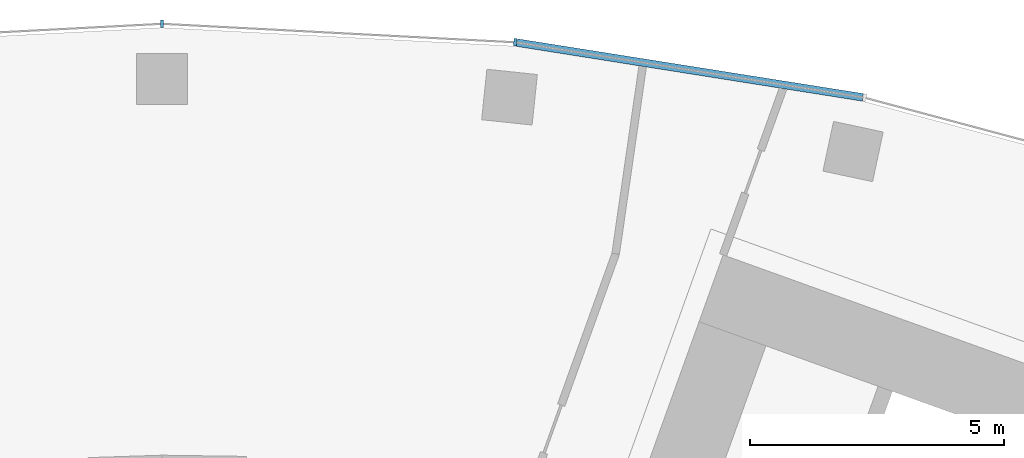
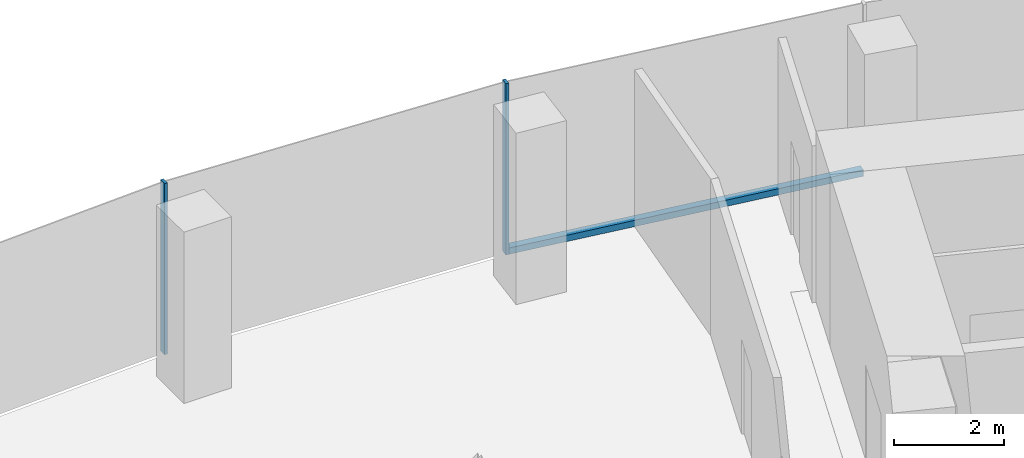
# One storey, part 7 of 21: 3 members, 1 element without a shape of its own.
"""IFC4 building model written with IfcOpenShell, lengths in metres."""

from ifc_helpers import new_model, si_unit, direction, frame, origin, origin_2d, place, context, subcontext, project, spatial, rectangle, extrude, material, layer, layer_set, material_profile, profile_set, type_object, element, aggregate, save


model = new_model("IFC4")

# Units and contexts
model_context = context("Model", 3, precision=1e-05, world=origin(), true_north=direction((0.0, 1.0)))
body_context = subcontext(model_context, "Body", "Model", "MODEL_VIEW")
ifc_project = project(units=[si_unit("LENGTHUNIT", "METRE"), si_unit("AREAUNIT", "SQUARE_METRE"), si_unit("VOLUMEUNIT", "CUBIC_METRE"), si_unit("PLANEANGLEUNIT", "RADIAN"), si_unit("MASSUNIT", "GRAM", prefix="KILO")], contexts=[model_context])

# Site, building, storey
site_placement = place(None, origin())
site = spatial("IfcSite", under=ifc_project, at=site_placement, CompositionType="ELEMENT")
building_placement = place(site_placement, origin())
building = spatial("IfcBuilding", under=site, at=building_placement, Name="Stone Belt Terrace Tower", CompositionType="ELEMENT")
storey_placement = place(building_placement, frame((0.0, 0.0, 163.0)))
storey = spatial("IfcBuildingStorey", under=building, at=storey_placement, Name="L39", CompositionType="ELEMENT", Elevation=163.0)

# Curtain wall, members
ifc_material = material(Name="Aluminium 6063-T6 anodised frame", Category="aluminium")
ifc_layer = layer(ifc_material, 0.14990234375)
ifc_layer_set = layer_set([ifc_layer], Name="CW-A unitised convex-face curtain wall")
curtain_wall_type = type_object("IfcCurtainWallType", Name="CW-A unitised convex-face curtain wall", PredefinedType="NOTDEFINED", material=ifc_layer_set)
curtain_wall_placement = place(storey_placement, origin())
curtain_wall = element("IfcCurtainWall", 1, at=curtain_wall_placement, inside=storey, type_object=curtain_wall_type, Name="CW-A convex face L39", PredefinedType="NOTDEFINED")
ifc_material_profile_1 = material_profile(ifc_material, rectangle(XDim=0.14990234375, YDim=0.06005859375, at=origin_2d()), Name="Aluminium 6063-T6 60x150")
ifc_profile_set_1 = profile_set([ifc_material_profile_1], Name="Aluminium 6063-T6 anodised frame")
member_type_1 = type_object("IfcMemberType", Name="CW-A mullion 60 x 150", PredefinedType="MULLION", material=ifc_profile_set_1)
member_1_placement = place(storey_placement, frame((6.958984375, 66.21044921875, 0.0), z_axis=(0.0, 0.0, 1.0), x_axis=(-0.104528463268, -0.994521895368, 0.0)))
member_1 = element("IfcMember", 2, at=member_1_placement, type_object=member_type_1, Name="CW-A mullion 8", PredefinedType="MULLION", context=body_context, shape_type="SweptSolid", body=[
    extrude(rectangle(XDim=0.14990234375, YDim=0.06005859375, at=origin_2d()), origin(), (0.0, 0.0, 1.0), 3.800048828125),
])
member_2_placement = place(storey_placement, frame((0.0, 66.5751953125, 0.0), z_axis=(0.0, 0.0, 1.0), x_axis=(0.0, -1.0, 0.0)))
member_2 = element("IfcMember", 3, at=member_2_placement, type_object=member_type_1, Name="CW-A mullion 9", PredefinedType="MULLION", context=body_context, shape_type="SweptSolid", body=[
    extrude(rectangle(XDim=0.14990234375, YDim=0.06005859375, at=origin_2d()), origin(), (0.0, 0.0, 1.0), 3.800048828125),
])
ifc_material_profile_2 = material_profile(ifc_material, rectangle(XDim=0.14990234375, YDim=0.139892578125, at=origin_2d()), Name="Aluminium 6063-T6 150x140")
ifc_profile_set_2 = profile_set([ifc_material_profile_2], Name="Aluminium 6063-T6 anodised frame")
member_type_2 = type_object("IfcMemberType", Name="CW-A transom 140 x 150", PredefinedType="USERDEFINED", material=ifc_profile_set_2)
member_3_placement = place(storey_placement, frame((13.808349609375, 65.12548828125, 0.070068359375), z_axis=(-0.987687120531, 0.156442168027, 0.0), x_axis=(-0.156442168027, -0.987687120531, 0.0)))
member_3 = element("IfcMember", 4, at=member_3_placement, type_object=member_type_2, Name="CW-A transom 7.1", ObjectType="TRANSOM", PredefinedType="USERDEFINED", context=body_context, shape_type="SweptSolid", body=[
    extrude(rectangle(XDim=0.14990234375, YDim=0.139892578125, at=origin_2d()), origin(), (0.0, 0.0, 1.0), 6.90087890625),
])
aggregate(curtain_wall, [member_1, member_2, member_3])

save(model, "model.ifc")
